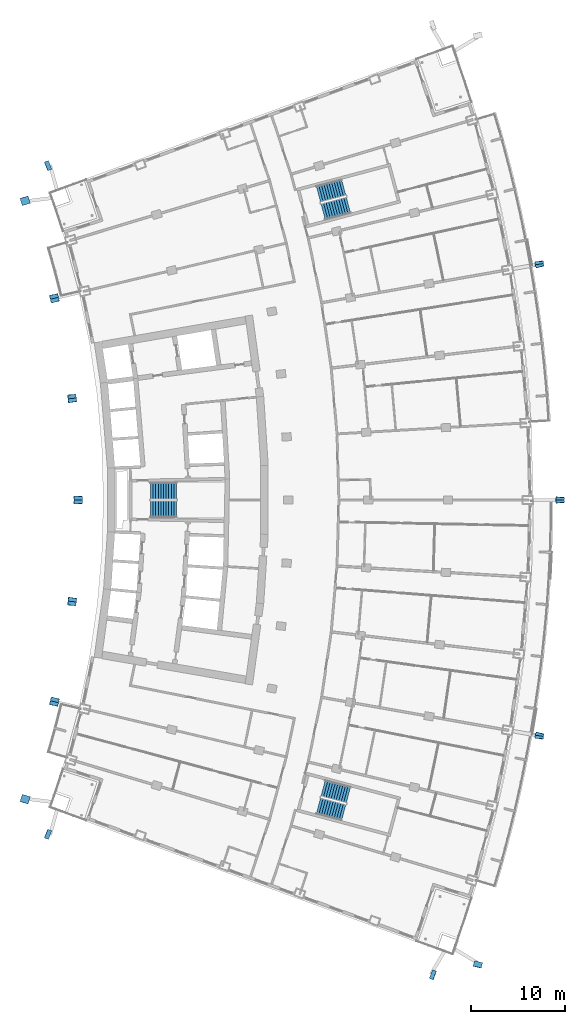
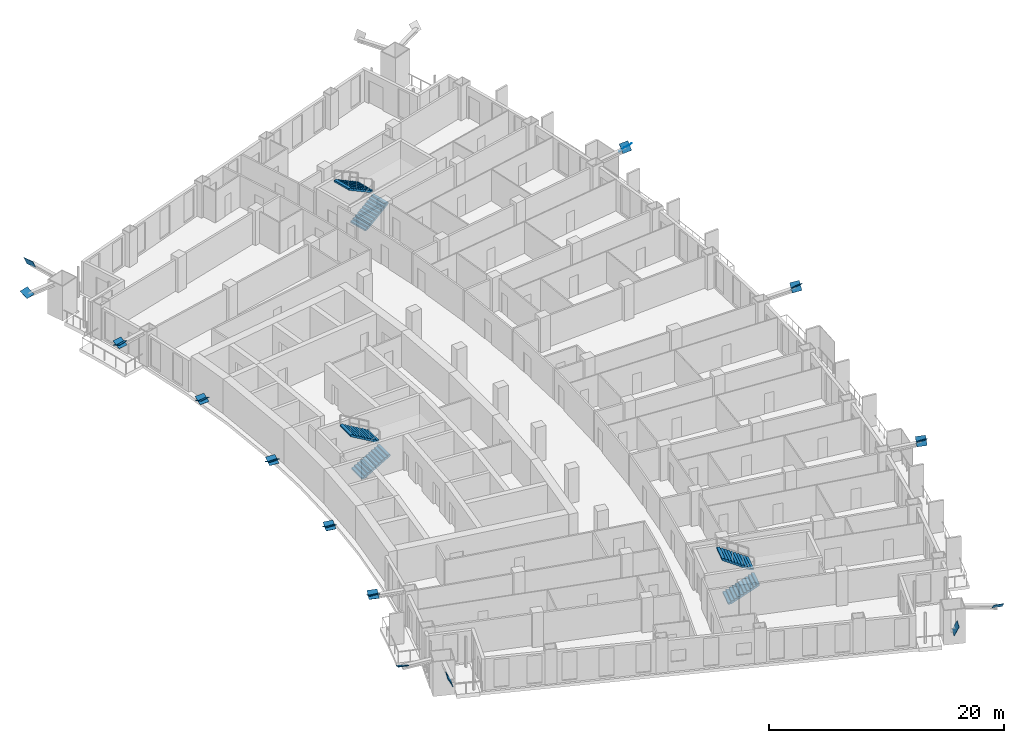
# One storey, part 19 of 23: 22 discrete accessories, 6 stair flights, 3 elements without a shape of their own.
"""IFC4 building model written with IfcOpenShell, lengths in metres."""

from ifc_helpers import new_model, si_unit, direction, frame, origin, origin_2d, place, context, subcontext, project, spatial, polyline, rectangle, outline, extrude, material, layer, layer_set, material_profile, profile_set, type_object, element, aggregate, save


model = new_model("IFC4")

# Units and contexts
model_context = context("Model", 3, precision=1e-05, world=origin(), true_north=direction((0.0, 1.0)))
body_context = subcontext(model_context, "Body", "Model", "MODEL_VIEW")
ifc_project = project(units=[si_unit("LENGTHUNIT", "METRE"), si_unit("AREAUNIT", "SQUARE_METRE"), si_unit("VOLUMEUNIT", "CUBIC_METRE"), si_unit("PLANEANGLEUNIT", "RADIAN"), si_unit("MASSUNIT", "GRAM", prefix="KILO")], contexts=[model_context])

# Site, building, storey
site_placement = place(None, origin())
site = spatial("IfcSite", under=ifc_project, at=site_placement, CompositionType="ELEMENT")
building_placement = place(site_placement, origin())
building = spatial("IfcBuilding", under=site, at=building_placement, Name="Alderwake Tower", CompositionType="ELEMENT")
storey_placement = place(building_placement, frame((0.0, 0.0, 100.39990234375)))
storey = spatial("IfcBuildingStorey", under=building, at=storey_placement, Name="L24", CompositionType="ELEMENT", Elevation=100.39990234375)

# Stair, stair flights
ifc_material_1 = material(Name="Concrete C40/50", Category="concrete")
stair_type = type_object("IfcStairType", Name="Core exit stair", PredefinedType="HALF_TURN_STAIR", material=ifc_material_1)
stair_1_placement = place(storey_placement, origin())
stair_1 = element("IfcStair", 1, at=stair_1_placement, inside=storey, type_object=stair_type, Name="L24 Exit Stair B", PredefinedType="HALF_TURN_STAIR")
ifc_material_2 = material(Name="Concrete C40/50", Category="concrete")
ifc_layer = layer(ifc_material_2, 0.14990234375)
ifc_layer_set = layer_set([ifc_layer], Name="Core stair flight")
stair_flight_type = type_object("IfcStairFlightType", Name="Core stair flight", PredefinedType="STRAIGHT", material=ifc_layer_set)
stair_flight_1_placement = place(storey_placement, frame((21.0400390625, 60.02490234375, 0.0), z_axis=(0.0, 0.0, 1.0), x_axis=(1.0, 0.0, 0.0)))
stair_flight_1 = element("IfcStairFlight", 2, at=stair_flight_1_placement, type_object=stair_flight_type, Name="ST-B flight 1", NumberOfRisers=11, NumberOfTreads=10, PredefinedType="STRAIGHT", RiserHeight=0.163636364, TreadLength=0.28, context=body_context, shape_type="SweptSolid", body=[
    extrude(outline(polyline([(0.0, 0.0), (0.0, 0.16357421875), (0.280029296875, 0.16357421875), (0.280029296875, 0.327392578125), (0.56005859375, 0.327392578125), (0.56005859375, 0.490966796875), (0.840087890625, 0.490966796875), (0.840087890625, 0.654541015625), (1.1201171875, 0.654541015625), (1.1201171875, 0.818115234375), (1.39990234375, 0.818115234375), (1.39990234375, 0.98193359375), (1.679931640625, 0.98193359375), (1.679931640625, 1.1455078125), (1.9599609375, 1.1455078125), (1.9599609375, 1.30908203125), (2.239990234375, 1.30908203125), (2.239990234375, 1.47265625), (2.52001953125, 1.47265625), (2.52001953125, 1.636474609375), (2.800048828125, 1.636474609375), (2.800048828125, 1.800048828125), (2.800048828125, 1.462646484375), (0.297119140625, 0.0), (0.0, 0.0)])), frame((0.0, 0.89990234375, 0.0), z_axis=(0.0, -1.0, 0.0), x_axis=(1.0, 0.0, 0.0)), (0.0, 0.0, 1.0), 1.800048828125),
])
stair_flight_2_placement = place(storey_placement, frame((23.840087890625, 61.97509765625, 1.800048828125), z_axis=(0.0, 0.0, 1.0), x_axis=(-1.0, 0.0, 0.0)))
stair_flight_2 = element("IfcStairFlight", 3, at=stair_flight_2_placement, type_object=stair_flight_type, Name="ST-B flight 2", NumberOfRisers=11, NumberOfTreads=10, PredefinedType="STRAIGHT", RiserHeight=0.163636364, TreadLength=0.28, context=body_context, shape_type="SweptSolid", body=[
    extrude(outline(polyline([(0.0, 0.0), (0.0, 0.16357421875), (0.280029296875, 0.16357421875), (0.280029296875, 0.327392578125), (0.56005859375, 0.327392578125), (0.56005859375, 0.490966796875), (0.840087890625, 0.490966796875), (0.840087890625, 0.654541015625), (1.1201171875, 0.654541015625), (1.1201171875, 0.818115234375), (1.39990234375, 0.818115234375), (1.39990234375, 0.98193359375), (1.679931640625, 0.98193359375), (1.679931640625, 1.1455078125), (1.9599609375, 1.1455078125), (1.9599609375, 1.30908203125), (2.239990234375, 1.30908203125), (2.239990234375, 1.47265625), (2.52001953125, 1.47265625), (2.52001953125, 1.636474609375), (2.800048828125, 1.636474609375), (2.800048828125, 1.800048828125), (2.800048828125, 1.462646484375), (0.297119140625, 0.0), (0.0, 0.0)])), frame((0.0, 0.89990234375, 0.0), z_axis=(0.0, -1.0, 0.0), x_axis=(1.0, 0.0, 0.0)), (0.0, 0.0, 1.0), 1.800048828125),
])
aggregate(stair_1, [stair_flight_1, stair_flight_2])

stair_2_placement = place(storey_placement, origin())
stair_2 = element("IfcStair", 4, at=stair_2_placement, inside=storey, type_object=stair_type, Name="L24 Exit Stair A", PredefinedType="HALF_TURN_STAIR")
stair_flight_3_placement = place(storey_placement, frame((39.512939453125, 91.823974609375, 0.0), z_axis=(0.0, 0.0, 1.0), x_axis=(0.966309627437, 0.257382407951, 0.0)))
stair_flight_3 = element("IfcStairFlight", 5, at=stair_flight_3_placement, type_object=stair_flight_type, Name="ST-A flight 1", NumberOfRisers=11, NumberOfTreads=10, PredefinedType="STRAIGHT", RiserHeight=0.163636364, TreadLength=0.28, context=body_context, shape_type="SweptSolid", body=[
    extrude(outline(polyline([(0.0, 0.0), (0.0, 0.16357421875), (0.280029296875, 0.16357421875), (0.280029296875, 0.327392578125), (0.56005859375, 0.327392578125), (0.56005859375, 0.490966796875), (0.840087890625, 0.490966796875), (0.840087890625, 0.654541015625), (1.1201171875, 0.654541015625), (1.1201171875, 0.818115234375), (1.39990234375, 0.818115234375), (1.39990234375, 0.98193359375), (1.679931640625, 0.98193359375), (1.679931640625, 1.1455078125), (1.9599609375, 1.1455078125), (1.9599609375, 1.30908203125), (2.239990234375, 1.30908203125), (2.239990234375, 1.47265625), (2.52001953125, 1.47265625), (2.52001953125, 1.636474609375), (2.800048828125, 1.636474609375), (2.800048828125, 1.800048828125), (2.800048828125, 1.462646484375), (0.297119140625, 0.0), (0.0, 0.0)])), frame((0.0, 0.89990234375, 0.0), z_axis=(0.0, -1.0, 0.0), x_axis=(1.0, 0.0, 0.0)), (0.0, 0.0, 1.0), 1.800048828125),
])
stair_flight_4_placement = place(storey_placement, frame((41.716796875, 94.428955078125, 1.800048828125), z_axis=(0.0, 0.0, 1.0), x_axis=(-0.966309627437, -0.257382407951, 0.0)))
stair_flight_4 = element("IfcStairFlight", 6, at=stair_flight_4_placement, type_object=stair_flight_type, Name="ST-A flight 2", NumberOfRisers=11, NumberOfTreads=10, PredefinedType="STRAIGHT", RiserHeight=0.163636364, TreadLength=0.28, context=body_context, shape_type="SweptSolid", body=[
    extrude(outline(polyline([(0.0, 0.0), (0.0, 0.16357421875), (0.280029296875, 0.16357421875), (0.280029296875, 0.327392578125), (0.56005859375, 0.327392578125), (0.56005859375, 0.490966796875), (0.840087890625, 0.490966796875), (0.840087890625, 0.654541015625), (1.1201171875, 0.654541015625), (1.1201171875, 0.818115234375), (1.39990234375, 0.818115234375), (1.39990234375, 0.98193359375), (1.679931640625, 0.98193359375), (1.679931640625, 1.1455078125), (1.9599609375, 1.1455078125), (1.9599609375, 1.30908203125), (2.239990234375, 1.30908203125), (2.239990234375, 1.47265625), (2.52001953125, 1.47265625), (2.52001953125, 1.636474609375), (2.800048828125, 1.636474609375), (2.800048828125, 1.800048828125), (2.800048828125, 1.462646484375), (0.297119140625, 0.0), (0.0, 0.0)])), frame((0.0, 0.89990234375, 0.0), z_axis=(0.0, -1.0, 0.0), x_axis=(1.0, 0.0, 0.0)), (0.0, 0.0, 1.0), 1.800048828125),
])
aggregate(stair_2, [stair_flight_3, stair_flight_4])

stair_3_placement = place(storey_placement, origin())
stair_3 = element("IfcStair", 7, at=stair_3_placement, inside=storey, type_object=stair_type, Name="L24 Exit Stair C", PredefinedType="HALF_TURN_STAIR")
stair_flight_5_placement = place(storey_placement, frame((39.010986328125, 28.291748046875, 0.0), z_axis=(0.0, 0.0, 1.0), x_axis=(0.966309627437, -0.257382407951, 0.0)))
stair_flight_5 = element("IfcStairFlight", 8, at=stair_flight_5_placement, type_object=stair_flight_type, Name="ST-C flight 1", NumberOfRisers=11, NumberOfTreads=10, PredefinedType="STRAIGHT", RiserHeight=0.163636364, TreadLength=0.28, context=body_context, shape_type="SweptSolid", body=[
    extrude(outline(polyline([(0.0, 0.0), (0.0, 0.16357421875), (0.280029296875, 0.16357421875), (0.280029296875, 0.327392578125), (0.56005859375, 0.327392578125), (0.56005859375, 0.490966796875), (0.840087890625, 0.490966796875), (0.840087890625, 0.654541015625), (1.1201171875, 0.654541015625), (1.1201171875, 0.818115234375), (1.39990234375, 0.818115234375), (1.39990234375, 0.98193359375), (1.679931640625, 0.98193359375), (1.679931640625, 1.1455078125), (1.9599609375, 1.1455078125), (1.9599609375, 1.30908203125), (2.239990234375, 1.30908203125), (2.239990234375, 1.47265625), (2.52001953125, 1.47265625), (2.52001953125, 1.636474609375), (2.800048828125, 1.636474609375), (2.800048828125, 1.800048828125), (2.800048828125, 1.462646484375), (0.297119140625, 0.0), (0.0, 0.0)])), frame((0.0, 0.89990234375, 0.0), z_axis=(0.0, -1.0, 0.0), x_axis=(1.0, 0.0, 0.0)), (0.0, 0.0, 1.0), 1.800048828125),
])
stair_flight_6_placement = place(storey_placement, frame((42.218505859375, 29.455322265625, 1.800048828125), z_axis=(0.0, 0.0, 1.0), x_axis=(-0.966309627437, 0.257382407951, 0.0)))
stair_flight_6 = element("IfcStairFlight", 9, at=stair_flight_6_placement, type_object=stair_flight_type, Name="ST-C flight 2", NumberOfRisers=11, NumberOfTreads=10, PredefinedType="STRAIGHT", RiserHeight=0.163636364, TreadLength=0.28, context=body_context, shape_type="SweptSolid", body=[
    extrude(outline(polyline([(0.0, 0.0), (0.0, 0.16357421875), (0.280029296875, 0.16357421875), (0.280029296875, 0.327392578125), (0.56005859375, 0.327392578125), (0.56005859375, 0.490966796875), (0.840087890625, 0.490966796875), (0.840087890625, 0.654541015625), (1.1201171875, 0.654541015625), (1.1201171875, 0.818115234375), (1.39990234375, 0.818115234375), (1.39990234375, 0.98193359375), (1.679931640625, 0.98193359375), (1.679931640625, 1.1455078125), (1.9599609375, 1.1455078125), (1.9599609375, 1.30908203125), (2.239990234375, 1.30908203125), (2.239990234375, 1.47265625), (2.52001953125, 1.47265625), (2.52001953125, 1.636474609375), (2.800048828125, 1.636474609375), (2.800048828125, 1.800048828125), (2.800048828125, 1.462646484375), (0.297119140625, 0.0), (0.0, 0.0)])), frame((0.0, 0.89990234375, 0.0), z_axis=(0.0, -1.0, 0.0), x_axis=(1.0, 0.0, 0.0)), (0.0, 0.0, 1.0), 1.800048828125),
])
aggregate(stair_3, [stair_flight_5, stair_flight_6])

# Discrete accessories
ifc_material_3 = material(Name="Steel ASTM A572 Grade 50", Category="steel")
ifc_material_profile_1 = material_profile(ifc_material_3, rectangle(XDim=1.0, YDim=1.0, at=origin_2d()), Name="BOX 1000X1000X60 cap")
ifc_profile_set_1 = profile_set([ifc_material_profile_1], Name="Steel ASTM A572 Grade 50")
discrete_accessory_type_1 = type_object("IfcDiscreteAccessoryType", Name="End cap plate BOX 1000X1000X60", PredefinedType="USERDEFINED", material=ifc_profile_set_1)
for number, where, z_axis, x_axis, name in (
    (10, (10.099365234375, 25.23681640625, 3.60009765625), (-0.83881339138, 0.309465134684, -0.447910063358), (-0.346127430472, -0.93818750891, 0.0), "End cap BRS2.2.0A S"),
    (11, (51.243896484375, 10.218017578125, 3.60009765625), (0.844218141181, -0.308464320816, -0.438344034844), (0.343192952924, 0.939264923791, 0.0), "End cap BRS2.2.0B1 S"),
    (12, (10.099365234375, 96.76318359375, 3.60009765625), (-0.83881339138, -0.309465134684, -0.447910063358), (0.346127430472, -0.93818750891, 0.0), "End cap BRN2.2.0A S"),
):
    element("IfcDiscreteAccessory", number, at=place(storey_placement, frame(where, z_axis=z_axis, x_axis=x_axis)), inside=storey, type_object=discrete_accessory_type_1, Name=name, ObjectType="END CAP", PredefinedType="USERDEFINED", context=body_context, shape_type="SweptSolid", body=[
        extrude(rectangle(XDim=1.0, YDim=1.0, at=origin_2d()), origin(), (0.0, 0.0, 1.0), 0.030029296875),
    ])
ifc_material_4 = material(Name="Steel ASTM A572 Grade 50", Category="steel")
ifc_material_profile_2 = material_profile(ifc_material_4, rectangle(XDim=0.89990234375, YDim=0.89990234375, at=origin_2d()), Name="BOX 900X900X55 cap")
ifc_profile_set_2 = profile_set([ifc_material_profile_2], Name="Steel ASTM A572 Grade 50")
discrete_accessory_type_2 = type_object("IfcDiscreteAccessoryType", Name="End cap plate BOX 900X900X55", PredefinedType="USERDEFINED", material=ifc_profile_set_2)
for number, where, z_axis, x_axis, name in (
    (13, (56.060791015625, 11.333984375, 3.60009765625), (-0.187612942008, -0.734137599163, -0.652566754812), (0.968862785912, -0.247598267511, 0.0), "End cap BRF2.2.1A S"),
    (14, (62.6298828125, 35.78173828125, 3.60009765625), (0.203278907045, 0.731804065364, -0.650492502545), (-0.96351790963, 0.267643863786, 0.0), "End cap BRF2.2.1B1 S"),
    (15, (62.6298828125, 35.78173828125, 3.60009765625), (-0.056968965018, -0.756873392383, -0.651073885921), (0.997179282295, -0.075056505119, 0.0), "End cap BRF2.2.4A S"),
    (16, (64.842041015625, 61.0, 3.60009765625), (0.081247127838, 0.755598288892, -0.649977022703), (-0.994268636888, 0.106910606117, 0.0), "End cap BRF2.2.4B1 S"),
    (17, (64.842041015625, 61.0, 3.60009765625), (0.081247127838, -0.755598288892, -0.649977022703), (0.994268636888, 0.106910606117, 0.0), "End cap BRF2.2.7A S"),
    (18, (62.6298828125, 86.21826171875, 3.60009765625), (-0.056968965018, 0.756873392383, -0.651073885921), (-0.997179282295, -0.075056505119, 0.0), "End cap BRF2.2.7B1 S"),
    (19, (62.6298828125, 86.21826171875, 3.60009765625), (0.203278907045, -0.731804065364, -0.650492502545), (0.96351790963, 0.267643863786, 0.0), "End cap BRF2.2.10A S"),
    (20, (7.6435546875, 29.007568359375, 3.60009765625), (-0.129926809902, -0.430382557802, -0.893246818079), (0.957327710787, -0.289004591936, 0.0), "End cap BRR2.2.1A S"),
    (21, (10.771728515625, 39.427001953125, 3.60009765625), (0.129926809902, 0.430382557802, -0.893246818079), (-0.957327710787, 0.289004591936, 0.0), "End cap BRR2.2.1B1 S"),
    (22, (10.771728515625, 39.427001953125, 3.60009765625), (-0.08133576549, -0.439213133645, -0.894693420388), (0.983282004984, -0.182089260182, 0.0), "End cap BRR2.2.3A S"),
    (23, (12.665771484375, 50.1396484375, 3.60009765625), (0.081044089847, 0.44574249416, -0.89148498832), (-0.9838699101, 0.1788854382, 0.0), "End cap BRR2.2.3B1 S"),
    (24, (12.665771484375, 50.1396484375, 3.60009765625), (-0.024386214522, -0.447080599566, -0.894161199132), (0.998515707931, -0.05446449316, 0.0), "End cap BRR2.2.5A S"),
    (25, (13.300048828125, 61.0, 3.60009765625), (0.024386214522, 0.447080599566, -0.894161199132), (-0.998515707931, 0.05446449316, 0.0), "End cap BRR2.2.5B1 S"),
    (26, (13.300048828125, 61.0, 3.60009765625), (0.024386214522, -0.447080599566, -0.894161199132), (0.998515707931, 0.05446449316, 0.0), "End cap BRR2.2.7A S"),
    (27, (12.665771484375, 71.8603515625, 3.60009765625), (-0.024386214522, 0.447080599566, -0.894161199132), (-0.998515707931, -0.05446449316, 0.0), "End cap BRR2.2.7B1 S"),
    (28, (12.665771484375, 71.8603515625, 3.60009765625), (0.081044089847, -0.44574249416, -0.89148498832), (0.9838699101, 0.1788854382, 0.0), "End cap BRR2.2.9A S"),
    (29, (10.771728515625, 82.572998046875, 3.60009765625), (-0.08133576549, 0.439213133645, -0.894693420388), (-0.983282004984, -0.182089260182, 0.0), "End cap BRR2.2.9B1 S"),
    (30, (10.771728515625, 82.572998046875, 3.60009765625), (0.129926809902, -0.430382557802, -0.893246818079), (0.957327710787, 0.289004591936, 0.0), "End cap BRR2.2.11A S"),
    (31, (7.6435546875, 92.992431640625, 3.60009765625), (-0.129926809902, 0.430382557802, -0.893246818079), (-0.957327710787, -0.289004591936, 0.0), "End cap BRR2.2.11B1 S"),
):
    element("IfcDiscreteAccessory", number, at=place(storey_placement, frame(where, z_axis=z_axis, x_axis=x_axis)), inside=storey, type_object=discrete_accessory_type_2, Name=name, ObjectType="END CAP", PredefinedType="USERDEFINED", context=body_context, shape_type="SweptSolid", body=[
        extrude(rectangle(XDim=0.89990234375, YDim=0.89990234375, at=origin_2d()), origin(), (0.0, 0.0, 1.0), 0.030029296875),
    ])

save(model, "model.ifc")
